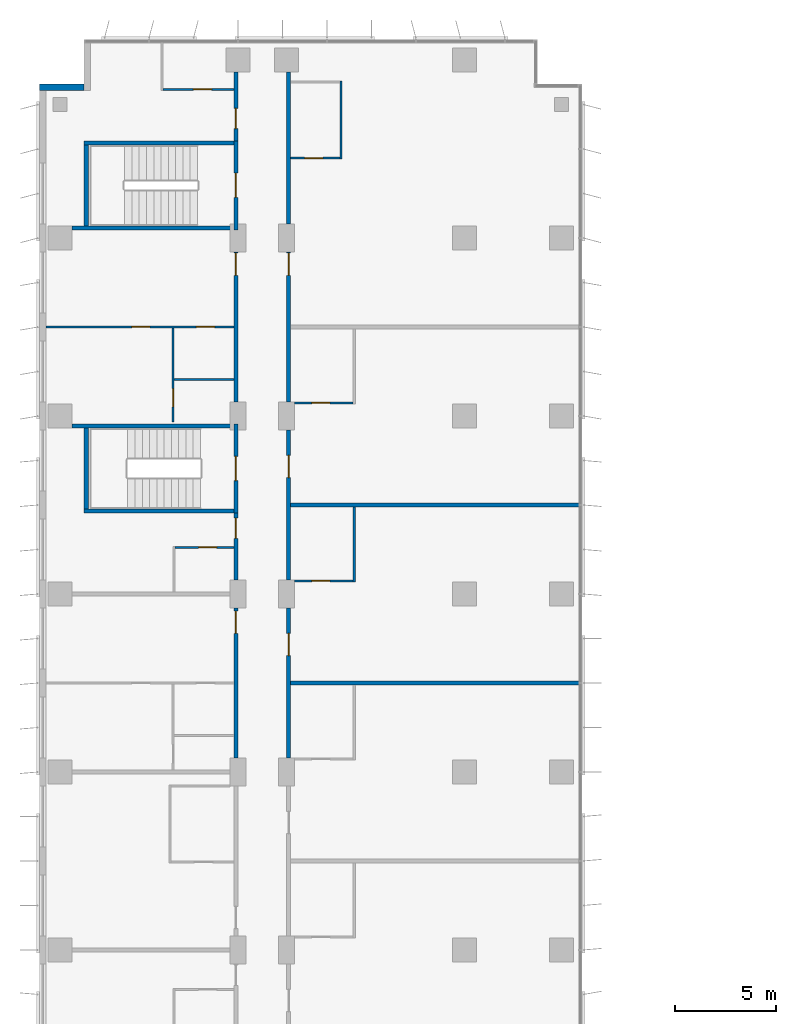
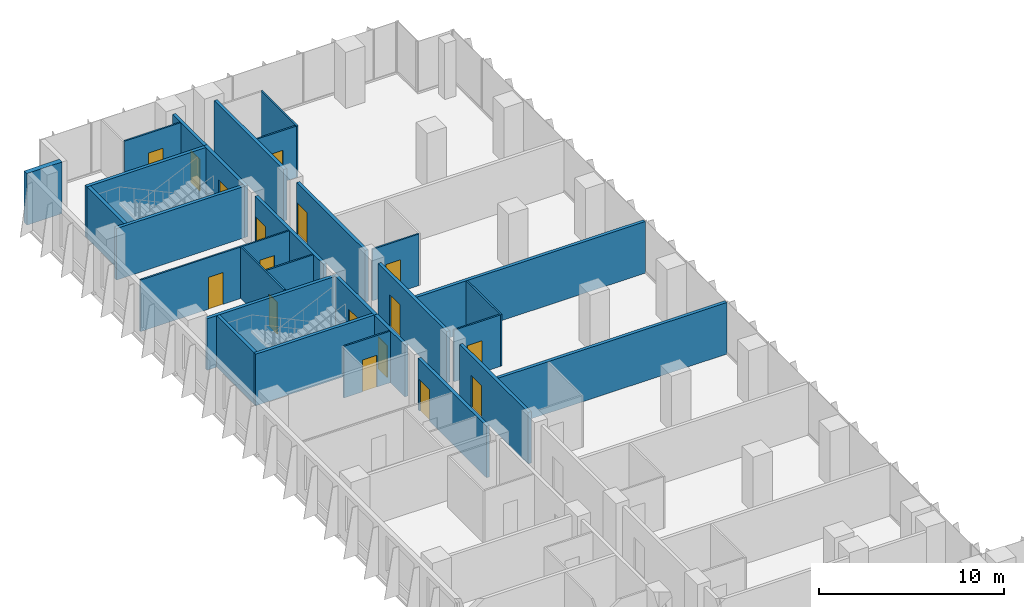
# One storey, part 17 of 22: 29 walls, 17 doors, 17 openings.
"""IFC4 building model written with IfcOpenShell, lengths in metres."""

import ifcopenshell
import ifcopenshell.guid

model = None  # the IFC model being written
_history = None  # IfcOwnerHistory: only IFC2X3 demands one
_inside = {}  # id of a spatial element -> (the spatial element, [elements in it])
_under = {}  # id of a project, library or spatial element -> (it, [spatial elements below it])
_declared = {}  # id of a project -> (the project, [libraries it declares])
_typed = {}  # id of a type object -> (the type object, [elements of that type])
_made_of = {}  # id of a material, layer set ... -> (it, [elements and type objects made of it])


def new_model(schema):
    """Start an empty IFC model of exactly this schema.

    Asked for "IFC4X3", IfcOpenShell would pick the latest addendum, in which some entities
    have other attributes; the version numbers below select the first issue.
    IFC2X3 requires an IfcOwnerHistory on every rooted entity: one is made here for all.
    """
    global model, _history
    if schema == "IFC4X3":
        model = ifcopenshell.file(schema_version=(4, 3, 0, 0))
    else:
        model = ifcopenshell.file(schema=schema)
    _inside.clear()
    _under.clear()
    _declared.clear()
    _typed.clear()
    _made_of.clear()
    _history = None
    if model.schema == "IFC2X3":
        org = make("IfcOrganization", Name="unknown")
        user = make(
            "IfcPersonAndOrganization",
            ThePerson=make("IfcPerson", FamilyName="unknown"),
            TheOrganization=org,
        )
        app = make(
            "IfcApplication",
            ApplicationDeveloper=org,
            Version="unknown",
            ApplicationFullName="unknown",
            ApplicationIdentifier="unknown",
        )
        _history = make(
            "IfcOwnerHistory",
            OwningUser=user,
            OwningApplication=app,
            ChangeAction="ADDED",
            CreationDate=0,
        )
    return model


def make(cls, **values):
    """One entity of the class cls with the attributes given. An attribute that is None is left unset."""
    return model.create_entity(
        cls, **{name: value for name, value in values.items() if value is not None}
    )


def rooted(cls, **values):
    """An entity with a GlobalId (a new one), such as an element, a storey or a relation."""
    return make(cls, GlobalId=ifcopenshell.guid.new(), OwnerHistory=_history, **values)


def si_unit(unit_type, name, prefix=None):
    """IfcSIUnit, for example si_unit("LENGTHUNIT", "METRE", prefix="MILLI")."""
    return make("IfcSIUnit", UnitType=unit_type, Prefix=prefix, Name=name)


def assignment(units):
    """IfcUnitAssignment: the units of a project."""
    return None if units is None else make("IfcUnitAssignment", Units=units)


def point(xyz):
    """IfcCartesianPoint."""
    return None if xyz is None else make("IfcCartesianPoint", Coordinates=xyz)


def direction(xyz):
    """IfcDirection."""
    return None if xyz is None else make("IfcDirection", DirectionRatios=xyz)


def frame(location, z_axis=None, x_axis=None):
    """IfcAxis2Placement3D, a coordinate frame: its origin and axes. An axis left out is left unset."""
    return make(
        "IfcAxis2Placement3D",
        Location=point(location),
        Axis=direction(z_axis),
        RefDirection=direction(x_axis),
    )


def frame_2d(location, x_axis=None):
    """IfcAxis2Placement2D, a coordinate frame in the plane: its origin and x axis."""
    return make(
        "IfcAxis2Placement2D", Location=point(location), RefDirection=direction(x_axis)
    )


def origin():
    """The frame at (0, 0, 0) with its axes left unset."""
    return frame((0.0, 0.0, 0.0))


def place(relative_to, where):
    """IfcLocalPlacement: puts the frame where relative to a parent placement (None: the world)."""
    return make(
        "IfcLocalPlacement", PlacementRelTo=relative_to, RelativePlacement=where
    )


def context(
    kind, dimensions, precision=None, world=None, true_north=None, identifier=None
):
    """IfcGeometricRepresentationContext, for example the 3D "Model" context."""
    return make(
        "IfcGeometricRepresentationContext",
        ContextIdentifier=identifier,
        ContextType=kind,
        CoordinateSpaceDimension=dimensions,
        Precision=precision,
        WorldCoordinateSystem=world,
        TrueNorth=true_north,
    )


def subcontext(parent, identifier, kind, view, scale=None):
    """IfcGeometricRepresentationSubContext, for example "Body" below "Model"."""
    return make(
        "IfcGeometricRepresentationSubContext",
        ContextIdentifier=identifier,
        ContextType=kind,
        ParentContext=parent,
        TargetScale=scale,
        TargetView=view,
    )


def project(units=None, contexts=None):
    """IfcProject with its units and contexts."""
    return rooted(
        "IfcProject",
        Name="project",
        RepresentationContexts=contexts,
        UnitsInContext=assignment(units),
    )


def spatial(cls, under=None, at=None, **own):
    """A site, building, storey or space (cls), placed at a placement, below another one or the project."""
    s = rooted(cls, ObjectPlacement=at, **own)
    if under is not None:
        _under.setdefault(under.id(), (under, []))[1].append(s)
    return s


def profile(cls, at=None, kind="AREA", **sizes):
    """A parametric profile (cls). Its sizes go by their IFC names, for example OverallWidth=200.0."""
    return make(cls, ProfileType=kind, Position=at, **sizes)


def rectangle(**sizes):
    """IfcRectangleProfileDef."""
    return profile("IfcRectangleProfileDef", **sizes)


def extrude(swept, where, along, depth):
    """IfcExtrudedAreaSolid: the profile swept, set in the frame where, extruded along a direction by depth."""
    return make(
        "IfcExtrudedAreaSolid",
        SweptArea=swept,
        Position=where,
        ExtrudedDirection=direction(along),
        Depth=depth,
    )


def shape(context_of_items, identifier, shape_type, items):
    """IfcShapeRepresentation: the items that make up one representation, for example the "Body"."""
    return make(
        "IfcShapeRepresentation",
        ContextOfItems=context_of_items,
        RepresentationIdentifier=identifier,
        RepresentationType=shape_type,
        Items=items,
    )


def material(Name=None, Category=None):
    """IfcMaterial."""
    return make("IfcMaterial", Name=Name, Category=Category)


def layer(
    of_material, thickness, ventilated=None, Name=None, Category=None, Priority=None
):
    """IfcMaterialLayer: one layer of a wall or slab, of a material (None: an air gap)."""
    return make(
        "IfcMaterialLayer",
        Material=of_material,
        LayerThickness=thickness,
        IsVentilated=ventilated,
        Name=Name,
        Category=Category,
        Priority=Priority,
    )


def layer_set(layers, Name=None):
    """IfcMaterialLayerSet."""
    return make("IfcMaterialLayerSet", MaterialLayers=layers, LayerSetName=Name)


def made_of(thing, what):
    """Note that an element or type object is made of a material, layer set ...; save() writes the relation."""
    if what is not None:
        _made_of.setdefault(what.id(), (what, []))[1].append(thing)
    return thing


def type_object(cls, material=None, **own):
    """A type object (cls), such as IfcWallType, which elements share."""
    return made_of(rooted(cls, **own), material)


def element(
    cls,
    number,
    at=None,
    inside=None,
    cuts=None,
    type_object=None,
    material=None,
    context=None,
    identifier="Body",
    shape_type=None,
    held_by="IfcProductDefinitionShape",
    body=None,
    shapes=None,
    **own,
):
    """One element of the class cls, such as IfcWall. Its Tag is "e" and its number.

    at: its placement. inside: the storey or other place that contains it. cuts: it is an
    opening in that element (IfcRelVoidsElement). A single representation is given by context,
    identifier, shape_type and body (its items); several are given by shapes. held_by: the class
    of the entity that holds the representations. save() writes the other relations.
    """
    e = rooted(cls, Tag="e%d" % number, ObjectPlacement=at, **own)
    if body is not None:
        shapes = [shape(context, identifier, shape_type, body)]
    if shapes is not None:
        e.Representation = make(held_by, Representations=shapes)
    if inside is not None:
        _inside.setdefault(inside.id(), (inside, []))[1].append(e)
    if cuts is not None:
        rooted(
            "IfcRelVoidsElement", RelatingBuildingElement=cuts, RelatedOpeningElement=e
        )
    if type_object is not None:
        _typed.setdefault(type_object.id(), (type_object, []))[1].append(e)
    return made_of(e, material)


def fill(opening, filler):
    """IfcRelFillsElement: the door or window that sits in an opening."""
    return rooted(
        "IfcRelFillsElement",
        RelatingOpeningElement=opening,
        RelatedBuildingElement=filler,
    )


def aggregate(whole, parts):
    """IfcRelAggregates: a whole, such as a stair, and the parts it consists of."""
    return rooted("IfcRelAggregates", RelatingObject=whole, RelatedObjects=parts)


def save(model, path):
    """Write the relations noted so far, then the file.

    IfcRelAggregates (storeys below a building ...), IfcRelContainedInSpatialStructure (elements
    in a storey), IfcRelDefinesByType, IfcRelAssociatesMaterial and IfcRelDeclares: one each for
    every whole, place, type object, material and project.
    """
    for whole, parts in _under.values():
        aggregate(whole, parts)
    for where, things in _inside.values():
        rooted(
            "IfcRelContainedInSpatialStructure",
            RelatedElements=things,
            RelatingStructure=where,
        )
    for kind, things in _typed.values():
        rooted("IfcRelDefinesByType", RelatedObjects=things, RelatingType=kind)
    for what, things in _made_of.values():
        rooted("IfcRelAssociatesMaterial", RelatedObjects=things, RelatingMaterial=what)
    for by, libraries in _declared.values():
        rooted("IfcRelDeclares", RelatingContext=by, RelatedDefinitions=libraries)
    model.write(path)


model = new_model("IFC4")

# Units and contexts
model_context = context("Model", 3, precision=1e-05, world=origin(), true_north=direction((0.0, 1.0)))
body_context = subcontext(model_context, "Body", "Model", "MODEL_VIEW")
ifc_project = project(units=[si_unit("LENGTHUNIT", "METRE"), si_unit("AREAUNIT", "SQUARE_METRE"), si_unit("VOLUMEUNIT", "CUBIC_METRE"), si_unit("PLANEANGLEUNIT", "RADIAN"), si_unit("MASSUNIT", "GRAM", prefix="KILO")], contexts=[model_context])

# Site, building, storey
site_placement = place(None, origin())
site = spatial("IfcSite", under=ifc_project, at=site_placement, CompositionType="ELEMENT")
building_placement = place(site_placement, origin())
building = spatial("IfcBuilding", under=site, at=building_placement, Name="Kemantara Hotel Tower", CompositionType="ELEMENT")
storey_placement = place(building_placement, frame((0.0, 0.0, 145.699951171875)))
storey = spatial("IfcBuildingStorey", under=building, at=storey_placement, Name="L35", CompositionType="ELEMENT", Elevation=145.699951171875)

# Wall
ifc_material_1 = material(Name="Bronze anodised aluminium cladding on insulated steel stud wall", Category="steel")
ifc_layer_1 = layer(ifc_material_1, 0.300048828125)
ifc_layer_set_1 = layer_set([ifc_layer_1], Name="Bronze anodised aluminium cladding on insulated steel stud wall")
wall_type_1 = type_object("IfcWallType", Name="BRONZE METAL-CLAD EXTERNAL WALL 300", PredefinedType="STANDARD", material=ifc_layer_set_1)
wall_1_placement = place(storey_placement, frame((2.199951171875, 78.85009765625, 0.0), z_axis=(0.0, 0.0, 1.0), x_axis=(-1.0, 0.0, 0.0)))
element("IfcWall", 1, at=wall_1_placement, inside=storey, type_object=wall_type_1, Name="EXTERNAL WALL L35 T2-R03", PredefinedType="STANDARD", context=body_context, shape_type="SweptSolid", body=[
    extrude(rectangle(XDim=2.199951171875, YDim=0.300048828125, at=frame_2d((1.10009765625, 0.0))), origin(), (0.0, 0.0, 1.0), 3.400146484375),
])

# Wall, opening, door
ifc_material_2 = material(Name="Gypsum board partition, steel studs and mineral wool, 200 mm", Category="steel")
ifc_layer_2 = layer(ifc_material_2, 0.199951171875)
ifc_layer_set_2 = layer_set([ifc_layer_2], Name="Gypsum board partition, steel studs and mineral wool, 200 mm")
wall_type_2 = type_object("IfcWallType", Name="CORRIDOR WALL 200", PredefinedType="PARTITIONING", material=ifc_layer_set_2)
wall_2_placement = place(storey_placement, frame((9.699951171875, 45.7001953125, 0.0), z_axis=(0.0, 0.0, 1.0), x_axis=(0.0, 1.0, 0.0)))
wall_2 = element("IfcWall", 2, at=wall_2_placement, inside=storey, type_object=wall_type_2, Name="CORRIDOR WALL 200 021", PredefinedType="PARTITIONING", context=body_context, shape_type="SweptSolid", body=[
    extrude(rectangle(XDim=7.399658203125, YDim=0.199951171875, at=frame_2d((3.69970703125, 0.0))), origin(), (0.0, 0.0, 1.0), 3.400146484375),
])
opening_1_placement = place(wall_2_placement, frame((6.14990234375, 0.0, 0.0)))
opening_1 = element("IfcOpeningElement", 3, at=opening_1_placement, cuts=wall_2, Name="Opening F16-033", PredefinedType="OPENING", context=body_context, shape_type="SweptSolid", body=[
    extrude(rectangle(XDim=1.10009765625, YDim=2.10009765625, at=frame_2d((0.550048828125, 1.050048828125))), frame((0.0, 0.10986328125, 0.0), z_axis=(0.0, -1.0, 0.0), x_axis=(1.0, 0.0, 0.0)), (0.0, 0.0, 1.0), 0.219970703125),
])
ifc_material_3 = material(Name="Hardwood veneer door leaf with steel frame", Category="steel")
door_type_1 = type_object("IfcDoorType", Name="SUITE ENTRANCE DOOR 1100 X 2100 FD30S", OperationType="NOTDEFINED", PredefinedType="DOOR", material=ifc_material_3)
door_1_placement = place(opening_1_placement, origin())
door_1 = element("IfcDoor", 4, at=door_1_placement, inside=storey, type_object=door_type_1, Name="SUITE ENTRANCE DOOR F16-033", OperationType="SINGLE_SWING_RIGHT", OverallHeight=2.10009765625, OverallWidth=1.10009765625, PredefinedType="DOOR", context=body_context, shape_type="SweptSolid", body=[
    extrude(rectangle(XDim=1.10009765625, YDim=2.10009765625, at=frame_2d((0.550048828125, 1.050048828125))), frame((0.0, 0.02490234375, 0.0), z_axis=(0.0, -1.0, 0.0), x_axis=(1.0, 0.0, 0.0)), (0.0, 0.0, 1.0), 0.050048828125),
])
fill(opening_1, door_1)

wall_3_placement = place(storey_placement, frame((9.699951171875, 54.5, 0.0), z_axis=(0.0, 0.0, 1.0), x_axis=(0.0, 1.0, 0.0)))
wall_3 = element("IfcWall", 5, at=wall_3_placement, inside=storey, type_object=wall_type_2, Name="CORRIDOR WALL 200 022", PredefinedType="PARTITIONING", context=body_context, shape_type="SweptSolid", body=[
    extrude(rectangle(XDim=3.300048828125, YDim=0.199951171875, at=frame_2d((1.64990234375, 0.0))), origin(), (0.0, 0.0, 1.0), 3.400146484375),
])
opening_2_placement = place(wall_3_placement, frame((2.0498046875, 0.0, 0.0)))
opening_2 = element("IfcOpeningElement", 6, at=opening_2_placement, cuts=wall_3, Name="Opening F16-037", PredefinedType="OPENING", context=body_context, shape_type="SweptSolid", body=[
    extrude(rectangle(XDim=1.0, YDim=2.10009765625, at=frame_2d((0.5, 1.050048828125))), frame((0.0, 0.10986328125, 0.0), z_axis=(0.0, -1.0, 0.0), x_axis=(1.0, 0.0, 0.0)), (0.0, 0.0, 1.0), 0.219970703125),
])
door_type_2 = type_object("IfcDoorType", Name="GUEST ROOM DOOR 1000 X 2100 FD30S", OperationType="NOTDEFINED", PredefinedType="DOOR", material=ifc_material_3)
door_2_placement = place(opening_2_placement, origin())
door_2 = element("IfcDoor", 7, at=door_2_placement, inside=storey, type_object=door_type_2, Name="GUEST ROOM DOOR F16-037", OperationType="SINGLE_SWING_RIGHT", OverallHeight=2.10009765625, OverallWidth=1.0, PredefinedType="DOOR", context=body_context, shape_type="SweptSolid", body=[
    extrude(rectangle(XDim=1.0, YDim=2.10009765625, at=frame_2d((0.5, 1.050048828125))), frame((0.0, 0.02490234375, 0.0), z_axis=(0.0, -1.0, 0.0), x_axis=(1.0, 0.0, 0.0)), (0.0, 0.0, 1.0), 0.050048828125),
])
fill(opening_2, door_2)

wall_4_placement = place(storey_placement, frame((9.699951171875, 63.300048828125, 0.0), z_axis=(0.0, 0.0, 1.0), x_axis=(0.0, 1.0, 0.0)))
wall_4 = element("IfcWall", 8, at=wall_4_placement, inside=storey, type_object=wall_type_2, Name="CORRIDOR WALL 200 023", PredefinedType="PARTITIONING", context=body_context, shape_type="SweptSolid", body=[
    extrude(rectangle(XDim=7.39990234375, YDim=0.199951171875, at=frame_2d((3.699951171875, 0.0))), origin(), (0.0, 0.0, 1.0), 3.400146484375),
])
opening_3_placement = place(wall_4_placement, frame((6.25, 0.0, 0.0)))
opening_3 = element("IfcOpeningElement", 9, at=opening_3_placement, cuts=wall_4, Name="Opening F16-039", PredefinedType="OPENING", context=body_context, shape_type="SweptSolid", body=[
    extrude(rectangle(XDim=1.10009765625, YDim=2.10009765625, at=frame_2d((0.550048828125, 1.050048828125))), frame((0.0, 0.10986328125, 0.0), z_axis=(0.0, -1.0, 0.0), x_axis=(1.0, 0.0, 0.0)), (0.0, 0.0, 1.0), 0.219970703125),
])
door_3_placement = place(opening_3_placement, origin())
door_3 = element("IfcDoor", 10, at=door_3_placement, inside=storey, type_object=door_type_1, Name="SUITE ENTRANCE DOOR F16-039", OperationType="SINGLE_SWING_RIGHT", OverallHeight=2.10009765625, OverallWidth=1.10009765625, PredefinedType="DOOR", context=body_context, shape_type="SweptSolid", body=[
    extrude(rectangle(XDim=1.10009765625, YDim=2.10009765625, at=frame_2d((0.550048828125, 1.050048828125))), frame((0.0, 0.02490234375, 0.0), z_axis=(0.0, -1.0, 0.0), x_axis=(1.0, 0.0, 0.0)), (0.0, 0.0, 1.0), 0.050048828125),
])
fill(opening_3, door_3)

wall_5_placement = place(storey_placement, frame((9.699951171875, 76.199951171875, 0.0), z_axis=(0.0, 0.0, 1.0), x_axis=(0.0, 1.0, 0.0)))
wall_5 = element("IfcWall", 11, at=wall_5_placement, inside=storey, type_object=wall_type_2, Name="CORRIDOR WALL 200 024", PredefinedType="PARTITIONING", context=body_context, shape_type="SweptSolid", body=[
    extrude(rectangle(XDim=3.39990234375, YDim=0.199951171875, at=frame_2d((1.699951171875, 0.0))), origin(), (0.0, 0.0, 1.0), 3.400146484375),
])
opening_4_placement = place(wall_5_placement, frame((0.60009765625, 0.0, 0.0)))
opening_4 = element("IfcOpeningElement", 12, at=opening_4_placement, cuts=wall_5, Name="Opening F16-043", PredefinedType="OPENING", context=body_context, shape_type="SweptSolid", body=[
    extrude(rectangle(XDim=1.0, YDim=2.10009765625, at=frame_2d((0.5, 1.050048828125))), frame((0.0, 0.10986328125, 0.0), z_axis=(0.0, -1.0, 0.0), x_axis=(1.0, 0.0, 0.0)), (0.0, 0.0, 1.0), 0.219970703125),
])
door_4_placement = place(opening_4_placement, origin())
door_4 = element("IfcDoor", 13, at=door_4_placement, inside=storey, type_object=door_type_2, Name="GUEST ROOM DOOR F16-043", OperationType="SINGLE_SWING_LEFT", OverallHeight=2.10009765625, OverallWidth=1.0, PredefinedType="DOOR", context=body_context, shape_type="SweptSolid", body=[
    extrude(rectangle(XDim=1.0, YDim=2.10009765625, at=frame_2d((0.5, 1.050048828125))), frame((0.0, 0.02490234375, 0.0), z_axis=(0.0, -1.0, 0.0), x_axis=(1.0, 0.0, 0.0)), (0.0, 0.0, 1.0), 0.050048828125),
])
fill(opening_4, door_4)

wall_6_placement = place(storey_placement, frame((12.300048828125, 53.099853515625, 0.0), z_axis=(0.0, 0.0, 1.0), x_axis=(0.0, -1.0, 0.0)))
wall_6 = element("IfcWall", 14, at=wall_6_placement, inside=storey, type_object=wall_type_2, Name="CORRIDOR WALL 200 035", PredefinedType="PARTITIONING", context=body_context, shape_type="SweptSolid", body=[
    extrude(rectangle(XDim=7.399658203125, YDim=0.199951171875, at=frame_2d((3.69970703125, 0.0))), origin(), (0.0, 0.0, 1.0), 3.400146484375),
])
opening_5_placement = place(wall_6_placement, frame((1.25, 0.0, 0.0)))
opening_5 = element("IfcOpeningElement", 15, at=opening_5_placement, cuts=wall_6, Name="Opening F16-051", PredefinedType="OPENING", context=body_context, shape_type="SweptSolid", body=[
    extrude(rectangle(XDim=1.10009765625, YDim=2.10009765625, at=frame_2d((0.550048828125, 1.050048828125))), frame((0.0, 0.10986328125, 0.0), z_axis=(0.0, -1.0, 0.0), x_axis=(1.0, 0.0, 0.0)), (0.0, 0.0, 1.0), 0.219970703125),
])
door_5_placement = place(opening_5_placement, origin())
door_5 = element("IfcDoor", 16, at=door_5_placement, inside=storey, type_object=door_type_1, Name="SUITE ENTRANCE DOOR F16-051", OperationType="SINGLE_SWING_RIGHT", OverallHeight=2.10009765625, OverallWidth=1.10009765625, PredefinedType="DOOR", context=body_context, shape_type="SweptSolid", body=[
    extrude(rectangle(XDim=1.10009765625, YDim=2.10009765625, at=frame_2d((0.550048828125, 1.050048828125))), frame((0.0, 0.02490234375, 0.0), z_axis=(0.0, -1.0, 0.0), x_axis=(1.0, 0.0, 0.0)), (0.0, 0.0, 1.0), 0.050048828125),
])
fill(opening_5, door_5)

wall_7_placement = place(storey_placement, frame((12.300048828125, 61.89990234375, 0.0), z_axis=(0.0, 0.0, 1.0), x_axis=(0.0, -1.0, 0.0)))
wall_7 = element("IfcWall", 17, at=wall_7_placement, inside=storey, type_object=wall_type_2, Name="CORRIDOR WALL 200 036", PredefinedType="PARTITIONING", context=body_context, shape_type="SweptSolid", body=[
    extrude(rectangle(XDim=7.39990234375, YDim=0.199951171875, at=frame_2d((3.699951171875, 0.0))), origin(), (0.0, 0.0, 1.0), 3.400146484375),
])
opening_6_placement = place(wall_7_placement, frame((1.25, 0.0, 0.0)))
opening_6 = element("IfcOpeningElement", 18, at=opening_6_placement, cuts=wall_7, Name="Opening F16-053", PredefinedType="OPENING", context=body_context, shape_type="SweptSolid", body=[
    extrude(rectangle(XDim=1.10009765625, YDim=2.10009765625, at=frame_2d((0.550048828125, 1.050048828125))), frame((0.0, 0.10986328125, 0.0), z_axis=(0.0, -1.0, 0.0), x_axis=(1.0, 0.0, 0.0)), (0.0, 0.0, 1.0), 0.219970703125),
])
door_6_placement = place(opening_6_placement, origin())
door_6 = element("IfcDoor", 19, at=door_6_placement, inside=storey, type_object=door_type_1, Name="SUITE ENTRANCE DOOR F16-053", OperationType="SINGLE_SWING_RIGHT", OverallHeight=2.10009765625, OverallWidth=1.10009765625, PredefinedType="DOOR", context=body_context, shape_type="SweptSolid", body=[
    extrude(rectangle(XDim=1.10009765625, YDim=2.10009765625, at=frame_2d((0.550048828125, 1.050048828125))), frame((0.0, 0.02490234375, 0.0), z_axis=(0.0, -1.0, 0.0), x_axis=(1.0, 0.0, 0.0)), (0.0, 0.0, 1.0), 0.050048828125),
])
fill(opening_6, door_6)

wall_8_placement = place(storey_placement, frame((12.300048828125, 70.699951171875, 0.0), z_axis=(0.0, 0.0, 1.0), x_axis=(0.0, -1.0, 0.0)))
wall_8 = element("IfcWall", 20, at=wall_8_placement, inside=storey, type_object=wall_type_2, Name="CORRIDOR WALL 200 037", PredefinedType="PARTITIONING", context=body_context, shape_type="SweptSolid", body=[
    extrude(rectangle(XDim=7.39990234375, YDim=0.199951171875, at=frame_2d((3.699951171875, 0.0))), origin(), (0.0, 0.0, 1.0), 3.400146484375),
])
opening_7_placement = place(wall_8_placement, frame((0.0498046875, 0.0, 0.0)))
opening_7 = element("IfcOpeningElement", 21, at=opening_7_placement, cuts=wall_8, Name="Opening F16-055", PredefinedType="OPENING", context=body_context, shape_type="SweptSolid", body=[
    extrude(rectangle(XDim=1.10009765625, YDim=2.10009765625, at=frame_2d((0.550048828125, 1.050048828125))), frame((0.0, 0.10986328125, 0.0), z_axis=(0.0, -1.0, 0.0), x_axis=(1.0, 0.0, 0.0)), (0.0, 0.0, 1.0), 0.219970703125),
])
door_7_placement = place(opening_7_placement, origin())
door_7 = element("IfcDoor", 22, at=door_7_placement, inside=storey, type_object=door_type_1, Name="SUITE ENTRANCE DOOR F16-055", OperationType="SINGLE_SWING_RIGHT", OverallHeight=2.10009765625, OverallWidth=1.10009765625, PredefinedType="DOOR", context=body_context, shape_type="SweptSolid", body=[
    extrude(rectangle(XDim=1.10009765625, YDim=2.10009765625, at=frame_2d((0.550048828125, 1.050048828125))), frame((0.0, 0.02490234375, 0.0), z_axis=(0.0, -1.0, 0.0), x_axis=(1.0, 0.0, 0.0)), (0.0, 0.0, 1.0), 0.050048828125),
])
fill(opening_7, door_7)

# Wall
wall_9_placement = place(storey_placement, frame((12.300048828125, 72.10009765625, 0.0), z_axis=(0.0, 0.0, 1.0), x_axis=(0.0, 1.0, 0.0)))
element("IfcWall", 23, at=wall_9_placement, inside=storey, type_object=wall_type_2, Name="CORRIDOR WALL 200 038", PredefinedType="PARTITIONING", context=body_context, shape_type="SweptSolid", body=[
    extrude(rectangle(XDim=7.499755859375, YDim=0.199951171875, at=frame_2d((3.75, 0.0))), origin(), (0.0, 0.0, 1.0), 3.400146484375),
])

# Wall, opening, door
ifc_material_4 = material(Name="Concrete fc 40 MPa", Category="concrete")
ifc_layer_3 = layer(ifc_material_4, 0.199951171875)
ifc_layer_set_3 = layer_set([ifc_layer_3], Name="Concrete fc 40 MPa")
wall_type_3 = type_object("IfcWallType", Name="Concrete stair wall 200 mm", PredefinedType="SHEAR", material=ifc_layer_set_3)
wall_10_placement = place(storey_placement, frame((9.699951171875, 57.800048828125, 0.0), z_axis=(0.0, 0.0, 1.0), x_axis=(0.0, 1.0, 0.0)))
wall_10 = element("IfcWall", 24, at=wall_10_placement, inside=storey, type_object=wall_type_3, Name="Stair ST4 enclosure wall with door", PredefinedType="SHEAR", context=body_context, shape_type="SweptSolid", body=[
    extrude(rectangle(XDim=4.39990234375, YDim=0.199951171875, at=frame_2d((2.199951171875, 0.0))), origin(), (0.0, 0.0, 1.0), 3.400146484375),
])
opening_8_placement = place(wall_10_placement, frame((1.60009765625, 0.0, 0.0)))
opening_8 = element("IfcOpeningElement", 25, at=opening_8_placement, cuts=wall_10, Name="Opening ST4-C", PredefinedType="OPENING", context=body_context, shape_type="SweptSolid", body=[
    extrude(rectangle(XDim=1.199951171875, YDim=2.10009765625, at=frame_2d((0.60009765625, 1.050048828125))), frame((0.0, 0.10986328125, 0.0), z_axis=(0.0, -1.0, 0.0), x_axis=(1.0, 0.0, 0.0)), (0.0, 0.0, 1.0), 0.219970703125),
])
ifc_material_5 = material(Name="Steel fire door", Category="steel")
door_type_3 = type_object("IfcDoorType", Name="Fire door FD90 1200 x 2100", OperationType="NOTDEFINED", PredefinedType="DOOR", material=ifc_material_5)
door_8_placement = place(opening_8_placement, origin())
door_8 = element("IfcDoor", 26, at=door_8_placement, inside=storey, type_object=door_type_3, Name="Stair ST4 door", OperationType="SINGLE_SWING_RIGHT", OverallHeight=2.10009765625, OverallWidth=1.199951171875, PredefinedType="DOOR", context=body_context, shape_type="SweptSolid", body=[
    extrude(rectangle(XDim=1.199951171875, YDim=2.10009765625, at=frame_2d((0.60009765625, 1.050048828125))), frame((0.0, 0.02490234375, 0.0), z_axis=(0.0, -1.0, 0.0), x_axis=(1.0, 0.0, 0.0)), (0.0, 0.0, 1.0), 0.050048828125),
])
fill(opening_8, door_8)

# Walls
wall_11_placement = place(storey_placement, frame((1.60009765625, 62.10009765625, 0.0), z_axis=(0.0, 0.0, 1.0), x_axis=(1.0, 0.0, 0.0)))
element("IfcWall", 27, at=wall_11_placement, inside=storey, type_object=wall_type_3, Name="Stair ST4 enclosure wall N", PredefinedType="SHEAR", context=body_context, shape_type="SweptSolid", body=[
    extrude(rectangle(XDim=8.0, YDim=0.199951171875, at=frame_2d((4.0, 0.0))), origin(), (0.0, 0.0, 1.0), 3.400146484375),
])
wall_12_placement = place(storey_placement, frame((2.199951171875, 57.89990234375, 0.0), z_axis=(0.0, 0.0, 1.0), x_axis=(1.0, 0.0, 0.0)))
element("IfcWall", 28, at=wall_12_placement, inside=storey, type_object=wall_type_3, Name="Stair ST4 enclosure wall S", PredefinedType="SHEAR", context=body_context, shape_type="SweptSolid", body=[
    extrude(rectangle(XDim=7.400146484375, YDim=0.199951171875, at=frame_2d((3.7001953125, 0.0))), origin(), (0.0, 0.0, 1.0), 3.400146484375),
])
wall_13_placement = place(storey_placement, frame((2.300048828125, 58.0, 0.0), z_axis=(0.0, 0.0, 1.0), x_axis=(0.0, 1.0, 0.0)))
element("IfcWall", 29, at=wall_13_placement, inside=storey, type_object=wall_type_3, Name="Stair ST4 enclosure wall W", PredefinedType="SHEAR", context=body_context, shape_type="SweptSolid", body=[
    extrude(rectangle(XDim=4.0, YDim=0.199951171875, at=frame_2d((2.0, 0.0))), origin(), (0.0, 0.0, 1.0), 3.400146484375),
])

# Wall, opening, door
wall_14_placement = place(storey_placement, frame((9.699951171875, 71.800048828125, 0.0), z_axis=(0.0, 0.0, 1.0), x_axis=(0.0, 1.0, 0.0)))
wall_14 = element("IfcWall", 30, at=wall_14_placement, inside=storey, type_object=wall_type_3, Name="Stair ST6 enclosure wall with door", PredefinedType="SHEAR", context=body_context, shape_type="SweptSolid", body=[
    extrude(rectangle(XDim=4.39990234375, YDim=0.199951171875, at=frame_2d((2.199951171875, 0.0))), origin(), (0.0, 0.0, 1.0), 3.400146484375),
])
opening_9_placement = place(wall_14_placement, frame((1.60009765625, 0.0, 0.0)))
opening_9 = element("IfcOpeningElement", 31, at=opening_9_placement, cuts=wall_14, Name="Opening ST6-C", PredefinedType="OPENING", context=body_context, shape_type="SweptSolid", body=[
    extrude(rectangle(XDim=1.199951171875, YDim=2.10009765625, at=frame_2d((0.60009765625, 1.050048828125))), frame((0.0, 0.10986328125, 0.0), z_axis=(0.0, -1.0, 0.0), x_axis=(1.0, 0.0, 0.0)), (0.0, 0.0, 1.0), 0.219970703125),
])
door_9_placement = place(opening_9_placement, origin())
door_9 = element("IfcDoor", 32, at=door_9_placement, inside=storey, type_object=door_type_3, Name="Stair ST6 door", OperationType="SINGLE_SWING_RIGHT", OverallHeight=2.10009765625, OverallWidth=1.199951171875, PredefinedType="DOOR", context=body_context, shape_type="SweptSolid", body=[
    extrude(rectangle(XDim=1.199951171875, YDim=2.10009765625, at=frame_2d((0.60009765625, 1.050048828125))), frame((0.0, 0.02490234375, 0.0), z_axis=(0.0, -1.0, 0.0), x_axis=(1.0, 0.0, 0.0)), (0.0, 0.0, 1.0), 0.050048828125),
])
fill(opening_9, door_9)

# Walls
wall_15_placement = place(storey_placement, frame((2.199951171875, 76.10009765625, 0.0), z_axis=(0.0, 0.0, 1.0), x_axis=(1.0, 0.0, 0.0)))
element("IfcWall", 33, at=wall_15_placement, inside=storey, type_object=wall_type_3, Name="Stair ST6 enclosure wall N", PredefinedType="SHEAR", context=body_context, shape_type="SweptSolid", body=[
    extrude(rectangle(XDim=7.400146484375, YDim=0.199951171875, at=frame_2d((3.7001953125, 0.0))), origin(), (0.0, 0.0, 1.0), 3.400146484375),
])
wall_16_placement = place(storey_placement, frame((1.60009765625, 71.89990234375, 0.0), z_axis=(0.0, 0.0, 1.0), x_axis=(1.0, 0.0, 0.0)))
element("IfcWall", 34, at=wall_16_placement, inside=storey, type_object=wall_type_3, Name="Stair ST6 enclosure wall S", PredefinedType="SHEAR", context=body_context, shape_type="SweptSolid", body=[
    extrude(rectangle(XDim=8.0, YDim=0.199951171875, at=frame_2d((4.0, 0.0))), origin(), (0.0, 0.0, 1.0), 3.400146484375),
])
wall_17_placement = place(storey_placement, frame((2.300048828125, 72.0, 0.0), z_axis=(0.0, 0.0, 1.0), x_axis=(0.0, 1.0, 0.0)))
element("IfcWall", 35, at=wall_17_placement, inside=storey, type_object=wall_type_3, Name="Stair ST6 enclosure wall W", PredefinedType="SHEAR", context=body_context, shape_type="SweptSolid", body=[
    extrude(rectangle(XDim=4.0, YDim=0.199951171875, at=frame_2d((2.0, 0.0))), origin(), (0.0, 0.0, 1.0), 3.400146484375),
])
ifc_layer_4 = layer(ifc_material_2, 0.199951171875)
ifc_layer_set_4 = layer_set([ifc_layer_4], Name="Gypsum board partition, steel studs and mineral wool, 200 mm")
wall_type_4 = type_object("IfcWallType", Name="GUEST ROOM PARTY WALL 200", PredefinedType="PARTITIONING", material=ifc_layer_set_4)
for number, where, z_axis, x_axis, name in (
    (36, (12.39990234375, 49.39990234375, 0.0), (0.0, 0.0, 1.0), (1.0, 0.0, 0.0), "GUEST ROOM PARTY WALL 200 042"),
    (37, (12.39990234375, 58.199951171875, 0.0), (0.0, 0.0, 1.0), (1.0, 0.0, 0.0), "GUEST ROOM PARTY WALL 200 043"),
):
    element("IfcWall", number, at=place(storey_placement, frame(where, z_axis=z_axis, x_axis=x_axis)), inside=storey, type_object=wall_type_4, Name=name, PredefinedType="PARTITIONING", context=body_context, shape_type="SweptSolid", body=[
        extrude(rectangle(XDim=14.27001953125, YDim=0.199951171875, at=frame_2d((7.135009765625, 0.0))), origin(), (0.0, 0.0, 1.0), 3.400146484375),
    ])

# Wall, opening, door
ifc_material_6 = material(Name="Gypsum board partition on steel studs, 100 mm", Category="steel")
ifc_layer_5 = layer(ifc_material_6, 0.10009765625)
ifc_layer_set_5 = layer_set([ifc_layer_5], Name="Gypsum board partition on steel studs, 100 mm")
wall_type_5 = type_object("IfcWallType", Name="ROOM PARTITION 100", PredefinedType="PARTITIONING", material=ifc_layer_set_5)
wall_18_placement = place(storey_placement, frame((6.60009765625, 66.949951171875, 0.0), z_axis=(0.0, 0.0, 1.0), x_axis=(0.0, -1.0, 0.0)))
wall_18 = element("IfcWall", 38, at=wall_18_placement, inside=storey, type_object=wall_type_5, Name="ROOM PARTITION 100 069", PredefinedType="PARTITIONING", context=body_context, shape_type="SweptSolid", body=[
    extrude(rectangle(XDim=4.64990234375, YDim=0.10009765625, at=frame_2d((2.324951171875, 0.0))), origin(), (0.0, 0.0, 1.0), 3.400146484375),
])
opening_10_placement = place(wall_18_placement, frame((3.0, 0.0, 0.0)))
opening_10 = element("IfcOpeningElement", 39, at=opening_10_placement, cuts=wall_18, Name="Opening F16-042", PredefinedType="OPENING", context=body_context, shape_type="SweptSolid", body=[
    extrude(rectangle(XDim=0.89990234375, YDim=2.10009765625, at=frame_2d((0.449951171875, 1.050048828125))), frame((0.0, 0.06005859375, 0.0), z_axis=(0.0, -1.0, 0.0), x_axis=(1.0, 0.0, 0.0)), (0.0, 0.0, 1.0), 0.1201171875),
])
door_type_4 = type_object("IfcDoorType", Name="BATHROOM DOOR 900 X 2100", OperationType="NOTDEFINED", PredefinedType="DOOR", material=ifc_material_3)
door_10_placement = place(opening_10_placement, origin())
door_10 = element("IfcDoor", 40, at=door_10_placement, inside=storey, type_object=door_type_4, Name="BATHROOM DOOR F16-042", OperationType="SINGLE_SWING_LEFT", OverallHeight=2.10009765625, OverallWidth=0.89990234375, PredefinedType="DOOR", context=body_context, shape_type="SweptSolid", body=[
    extrude(rectangle(XDim=0.89990234375, YDim=2.10009765625, at=frame_2d((0.449951171875, 1.050048828125))), frame((0.0, 0.02490234375, 0.0), z_axis=(0.0, -1.0, 0.0), x_axis=(1.0, 0.0, 0.0)), (0.0, 0.0, 1.0), 0.050048828125),
])
fill(opening_10, door_10)

wall_19_placement = place(storey_placement, frame((9.60009765625, 56.10009765625, 0.0), z_axis=(0.0, 0.0, 1.0), x_axis=(-1.0, 0.0, 0.0)))
wall_19 = element("IfcWall", 41, at=wall_19_placement, inside=storey, type_object=wall_type_5, Name="ROOM PARTITION 100 083", PredefinedType="PARTITIONING", context=body_context, shape_type="SweptSolid", body=[
    extrude(rectangle(XDim=2.900146484375, YDim=0.10009765625, at=frame_2d((1.4501953125, 0.0))), origin(), (0.0, 0.0, 1.0), 3.400146484375),
])
opening_11_placement = place(wall_19_placement, frame((0.85009765625, 0.0, 0.0)))
opening_11 = element("IfcOpeningElement", 42, at=opening_11_placement, cuts=wall_19, Name="Opening F16-038", PredefinedType="OPENING", context=body_context, shape_type="SweptSolid", body=[
    extrude(rectangle(XDim=0.89990234375, YDim=2.10009765625, at=frame_2d((0.449951171875, 1.050048828125))), frame((0.0, 0.06005859375, 0.0), z_axis=(0.0, -1.0, 0.0), x_axis=(1.0, 0.0, 0.0)), (0.0, 0.0, 1.0), 0.1201171875),
])
door_11_placement = place(opening_11_placement, origin())
door_11 = element("IfcDoor", 43, at=door_11_placement, inside=storey, type_object=door_type_4, Name="BATHROOM DOOR F16-038", OperationType="SINGLE_SWING_LEFT", OverallHeight=2.10009765625, OverallWidth=0.89990234375, PredefinedType="DOOR", context=body_context, shape_type="SweptSolid", body=[
    extrude(rectangle(XDim=0.89990234375, YDim=2.10009765625, at=frame_2d((0.449951171875, 1.050048828125))), frame((0.0, 0.02490234375, 0.0), z_axis=(0.0, -1.0, 0.0), x_axis=(1.0, 0.0, 0.0)), (0.0, 0.0, 1.0), 0.050048828125),
])
fill(opening_11, door_11)

# Wall, openings, doors
wall_20_placement = place(storey_placement, frame((0.31005859375, 67.0, 0.0), z_axis=(0.0, 0.0, 1.0), x_axis=(1.0, 0.0, 0.0)))
wall_20 = element("IfcWall", 44, at=wall_20_placement, inside=storey, type_object=wall_type_5, Name="ROOM PARTITION 100 084", PredefinedType="PARTITIONING", context=body_context, shape_type="SweptSolid", body=[
    extrude(rectangle(XDim=9.2900390625, YDim=0.10009765625, at=frame_2d((4.64501953125, 0.0))), origin(), (0.0, 0.0, 1.0), 3.400146484375),
])
opening_12_placement = place(wall_20_placement, frame((7.43994140625, 0.0, 0.0)))
opening_12 = element("IfcOpeningElement", 45, at=opening_12_placement, cuts=wall_20, Name="Opening F16-040", PredefinedType="OPENING", context=body_context, shape_type="SweptSolid", body=[
    extrude(rectangle(XDim=0.89990234375, YDim=2.10009765625, at=frame_2d((0.449951171875, 1.050048828125))), frame((0.0, 0.06005859375, 0.0), z_axis=(0.0, -1.0, 0.0), x_axis=(1.0, 0.0, 0.0)), (0.0, 0.0, 1.0), 0.1201171875),
])
opening_13_placement = place(wall_20_placement, frame((4.239990234375, 0.0, 0.0)))
opening_13 = element("IfcOpeningElement", 46, at=opening_13_placement, cuts=wall_20, Name="Opening F16-041", PredefinedType="OPENING", context=body_context, shape_type="SweptSolid", body=[
    extrude(rectangle(XDim=0.89990234375, YDim=2.10009765625, at=frame_2d((0.449951171875, 1.050048828125))), frame((0.0, 0.06005859375, 0.0), z_axis=(0.0, -1.0, 0.0), x_axis=(1.0, 0.0, 0.0)), (0.0, 0.0, 1.0), 0.1201171875),
])
door_type_5 = type_object("IfcDoorType", Name="INTERNAL DOOR 900 X 2100", OperationType="NOTDEFINED", PredefinedType="DOOR", material=ifc_material_3)
door_12_placement = place(opening_13_placement, frame((0.89990234375, 0.0, 0.0), z_axis=(0.0, 0.0, 1.0), x_axis=(-1.0, 0.0, 0.0)))
door_12 = element("IfcDoor", 47, at=door_12_placement, inside=storey, type_object=door_type_5, Name="INTERNAL DOOR F16-041", OperationType="SINGLE_SWING_RIGHT", OverallHeight=2.10009765625, OverallWidth=0.89990234375, PredefinedType="DOOR", context=body_context, shape_type="SweptSolid", body=[
    extrude(rectangle(XDim=0.89990234375, YDim=2.10009765625, at=frame_2d((0.449951171875, 1.050048828125))), frame((0.0, 0.02490234375, 0.0), z_axis=(0.0, -1.0, 0.0), x_axis=(1.0, 0.0, 0.0)), (0.0, 0.0, 1.0), 0.050048828125),
])
fill(opening_13, door_12)
door_type_6 = type_object("IfcDoorType", Name="PANTRY DOOR 900 X 2100", OperationType="NOTDEFINED", PredefinedType="DOOR", material=ifc_material_3)
door_13_placement = place(opening_12_placement, origin())
door_13 = element("IfcDoor", 48, at=door_13_placement, inside=storey, type_object=door_type_6, Name="PANTRY DOOR F16-040", OperationType="SINGLE_SWING_RIGHT", OverallHeight=2.10009765625, OverallWidth=0.89990234375, PredefinedType="DOOR", context=body_context, shape_type="SweptSolid", body=[
    extrude(rectangle(XDim=0.89990234375, YDim=2.10009765625, at=frame_2d((0.449951171875, 1.050048828125))), frame((0.0, 0.02490234375, 0.0), z_axis=(0.0, -1.0, 0.0), x_axis=(1.0, 0.0, 0.0)), (0.0, 0.0, 1.0), 0.050048828125),
])
fill(opening_12, door_13)

# Wall
wall_21_placement = place(storey_placement, frame((6.64990234375, 64.39990234375, 0.0), z_axis=(0.0, 0.0, 1.0), x_axis=(1.0, 0.0, 0.0)))
element("IfcWall", 49, at=wall_21_placement, inside=storey, type_object=wall_type_5, Name="ROOM PARTITION 100 085", PredefinedType="PARTITIONING", context=body_context, shape_type="SweptSolid", body=[
    extrude(rectangle(XDim=2.9501953125, YDim=0.10009765625, at=frame_2d((1.47509765625, 0.0))), origin(), (0.0, 0.0, 1.0), 3.400146484375),
])

# Wall, opening, door
wall_22_placement = place(storey_placement, frame((6.10009765625, 78.75, 0.0), z_axis=(0.0, 0.0, 1.0), x_axis=(1.0, 0.0, 0.0)))
wall_22 = element("IfcWall", 50, at=wall_22_placement, inside=storey, type_object=wall_type_5, Name="ROOM PARTITION 100 086", PredefinedType="PARTITIONING", context=body_context, shape_type="SweptSolid", body=[
    extrude(rectangle(XDim=3.5, YDim=0.10009765625, at=frame_2d((1.75, 0.0))), origin(), (0.0, 0.0, 1.0), 3.400146484375),
])
opening_14_placement = place(wall_22_placement, frame((1.5, 0.0, 0.0)))
opening_14 = element("IfcOpeningElement", 51, at=opening_14_placement, cuts=wall_22, Name="Opening F16-044", PredefinedType="OPENING", context=body_context, shape_type="SweptSolid", body=[
    extrude(rectangle(XDim=0.89990234375, YDim=2.10009765625, at=frame_2d((0.449951171875, 1.050048828125))), frame((0.0, 0.06005859375, 0.0), z_axis=(0.0, -1.0, 0.0), x_axis=(1.0, 0.0, 0.0)), (0.0, 0.0, 1.0), 0.1201171875),
])
door_14_placement = place(opening_14_placement, origin())
door_14 = element("IfcDoor", 52, at=door_14_placement, inside=storey, type_object=door_type_4, Name="BATHROOM DOOR F16-044", OperationType="SINGLE_SWING_RIGHT", OverallHeight=2.10009765625, OverallWidth=0.89990234375, PredefinedType="DOOR", context=body_context, shape_type="SweptSolid", body=[
    extrude(rectangle(XDim=0.89990234375, YDim=2.10009765625, at=frame_2d((0.449951171875, 1.050048828125))), frame((0.0, 0.02490234375, 0.0), z_axis=(0.0, -1.0, 0.0), x_axis=(1.0, 0.0, 0.0)), (0.0, 0.0, 1.0), 0.050048828125),
])
fill(opening_14, door_14)

# Wall
wall_23_placement = place(storey_placement, frame((15.550048828125, 54.39990234375, 0.0), z_axis=(0.0, 0.0, 1.0), x_axis=(0.0, 1.0, 0.0)))
element("IfcWall", 53, at=wall_23_placement, inside=storey, type_object=wall_type_5, Name="ROOM PARTITION 100 090", PredefinedType="PARTITIONING", context=body_context, shape_type="SweptSolid", body=[
    extrude(rectangle(XDim=3.7001953125, YDim=0.10009765625, at=frame_2d((1.85009765625, 0.0))), origin(), (0.0, 0.0, 1.0), 3.400146484375),
])

# Wall, opening, door
wall_24_placement = place(storey_placement, frame((12.60009765625, 54.449951171875, 0.0), z_axis=(0.0, 0.0, 1.0), x_axis=(1.0, 0.0, 0.0)))
wall_24 = element("IfcWall", 54, at=wall_24_placement, inside=storey, type_object=wall_type_5, Name="ROOM PARTITION 100 094", PredefinedType="PARTITIONING", context=body_context, shape_type="SweptSolid", body=[
    extrude(rectangle(XDim=2.89990234375, YDim=0.10009765625, at=frame_2d((1.449951171875, 0.0))), origin(), (0.0, 0.0, 1.0), 3.400146484375),
])
opening_15_placement = place(wall_24_placement, frame((0.849853515625, 0.0, 0.0)))
opening_15 = element("IfcOpeningElement", 55, at=opening_15_placement, cuts=wall_24, Name="Opening F16-052", PredefinedType="OPENING", context=body_context, shape_type="SweptSolid", body=[
    extrude(rectangle(XDim=0.89990234375, YDim=2.10009765625, at=frame_2d((0.449951171875, 1.050048828125))), frame((0.0, 0.06005859375, 0.0), z_axis=(0.0, -1.0, 0.0), x_axis=(1.0, 0.0, 0.0)), (0.0, 0.0, 1.0), 0.1201171875),
])
door_15_placement = place(opening_15_placement, origin())
door_15 = element("IfcDoor", 56, at=door_15_placement, inside=storey, type_object=door_type_4, Name="BATHROOM DOOR F16-052", OperationType="SINGLE_SWING_LEFT", OverallHeight=2.10009765625, OverallWidth=0.89990234375, PredefinedType="DOOR", context=body_context, shape_type="SweptSolid", body=[
    extrude(rectangle(XDim=0.89990234375, YDim=2.10009765625, at=frame_2d((0.449951171875, 1.050048828125))), frame((0.0, 0.02490234375, 0.0), z_axis=(0.0, -1.0, 0.0), x_axis=(1.0, 0.0, 0.0)), (0.0, 0.0, 1.0), 0.050048828125),
])
fill(opening_15, door_15)

wall_25_placement = place(storey_placement, frame((12.60009765625, 63.25, 0.0), z_axis=(0.0, 0.0, 1.0), x_axis=(1.0, 0.0, 0.0)))
wall_25 = element("IfcWall", 57, at=wall_25_placement, inside=storey, type_object=wall_type_5, Name="ROOM PARTITION 100 095", PredefinedType="PARTITIONING", context=body_context, shape_type="SweptSolid", body=[
    extrude(rectangle(XDim=2.89990234375, YDim=0.10009765625, at=frame_2d((1.449951171875, 0.0))), origin(), (0.0, 0.0, 1.0), 3.400146484375),
])
opening_16_placement = place(wall_25_placement, frame((0.849853515625, 0.0, 0.0)))
opening_16 = element("IfcOpeningElement", 58, at=opening_16_placement, cuts=wall_25, Name="Opening F16-054", PredefinedType="OPENING", context=body_context, shape_type="SweptSolid", body=[
    extrude(rectangle(XDim=0.89990234375, YDim=2.10009765625, at=frame_2d((0.449951171875, 1.050048828125))), frame((0.0, 0.06005859375, 0.0), z_axis=(0.0, -1.0, 0.0), x_axis=(1.0, 0.0, 0.0)), (0.0, 0.0, 1.0), 0.1201171875),
])
door_16_placement = place(opening_16_placement, origin())
door_16 = element("IfcDoor", 59, at=door_16_placement, inside=storey, type_object=door_type_4, Name="BATHROOM DOOR F16-054", OperationType="SINGLE_SWING_LEFT", OverallHeight=2.10009765625, OverallWidth=0.89990234375, PredefinedType="DOOR", context=body_context, shape_type="SweptSolid", body=[
    extrude(rectangle(XDim=0.89990234375, YDim=2.10009765625, at=frame_2d((0.449951171875, 1.050048828125))), frame((0.0, 0.02490234375, 0.0), z_axis=(0.0, -1.0, 0.0), x_axis=(1.0, 0.0, 0.0)), (0.0, 0.0, 1.0), 0.050048828125),
])
fill(opening_16, door_16)

# Wall
wall_26_placement = place(storey_placement, frame((14.89990234375, 75.300048828125, 0.0), z_axis=(0.0, 0.0, 1.0), x_axis=(0.0, 1.0, 0.0)))
element("IfcWall", 60, at=wall_26_placement, inside=storey, type_object=wall_type_5, Name="ROOM PARTITION 100 096", PredefinedType="PARTITIONING", context=body_context, shape_type="SweptSolid", body=[
    extrude(rectangle(XDim=3.849853515625, YDim=0.10009765625, at=frame_2d((1.9248046875, 0.0))), origin(), (0.0, 0.0, 1.0), 3.400146484375),
])

# Wall, opening, door
wall_27_placement = place(storey_placement, frame((12.39990234375, 75.35009765625, 0.0), z_axis=(0.0, 0.0, 1.0), x_axis=(1.0, 0.0, 0.0)))
wall_27 = element("IfcWall", 61, at=wall_27_placement, inside=storey, type_object=wall_type_5, Name="ROOM PARTITION 100 097", PredefinedType="PARTITIONING", context=body_context, shape_type="SweptSolid", body=[
    extrude(rectangle(XDim=2.4501953125, YDim=0.10009765625, at=frame_2d((1.22509765625, 0.0))), origin(), (0.0, 0.0, 1.0), 3.400146484375),
])
opening_17_placement = place(wall_27_placement, frame((0.699951171875, 0.0, 0.0)))
opening_17 = element("IfcOpeningElement", 62, at=opening_17_placement, cuts=wall_27, Name="Opening F16-056", PredefinedType="OPENING", context=body_context, shape_type="SweptSolid", body=[
    extrude(rectangle(XDim=0.89990234375, YDim=2.10009765625, at=frame_2d((0.449951171875, 1.050048828125))), frame((0.0, 0.06005859375, 0.0), z_axis=(0.0, -1.0, 0.0), x_axis=(1.0, 0.0, 0.0)), (0.0, 0.0, 1.0), 0.1201171875),
])
door_17_placement = place(opening_17_placement, origin())
door_17 = element("IfcDoor", 63, at=door_17_placement, inside=storey, type_object=door_type_4, Name="BATHROOM DOOR F16-056", OperationType="SINGLE_SWING_LEFT", OverallHeight=2.10009765625, OverallWidth=0.89990234375, PredefinedType="DOOR", context=body_context, shape_type="SweptSolid", body=[
    extrude(rectangle(XDim=0.89990234375, YDim=2.10009765625, at=frame_2d((0.449951171875, 1.050048828125))), frame((0.0, 0.02490234375, 0.0), z_axis=(0.0, -1.0, 0.0), x_axis=(1.0, 0.0, 0.0)), (0.0, 0.0, 1.0), 0.050048828125),
])
fill(opening_17, door_17)

save(model, "model.ifc")
